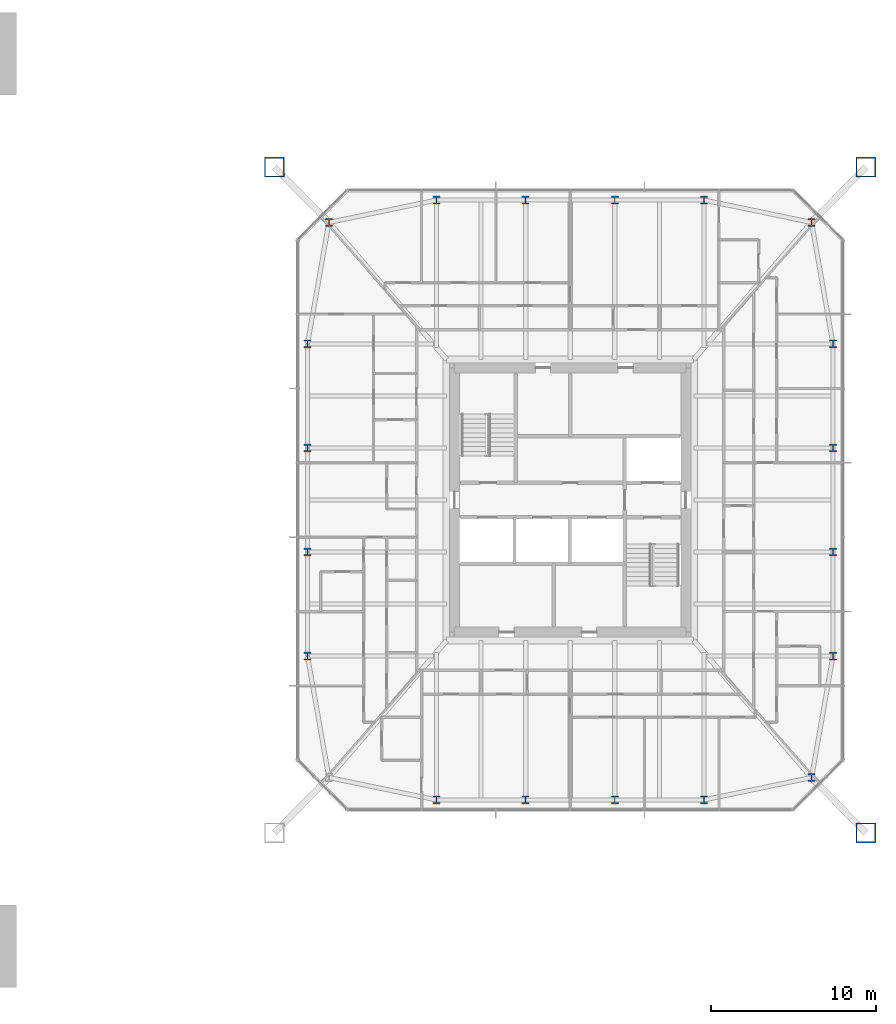
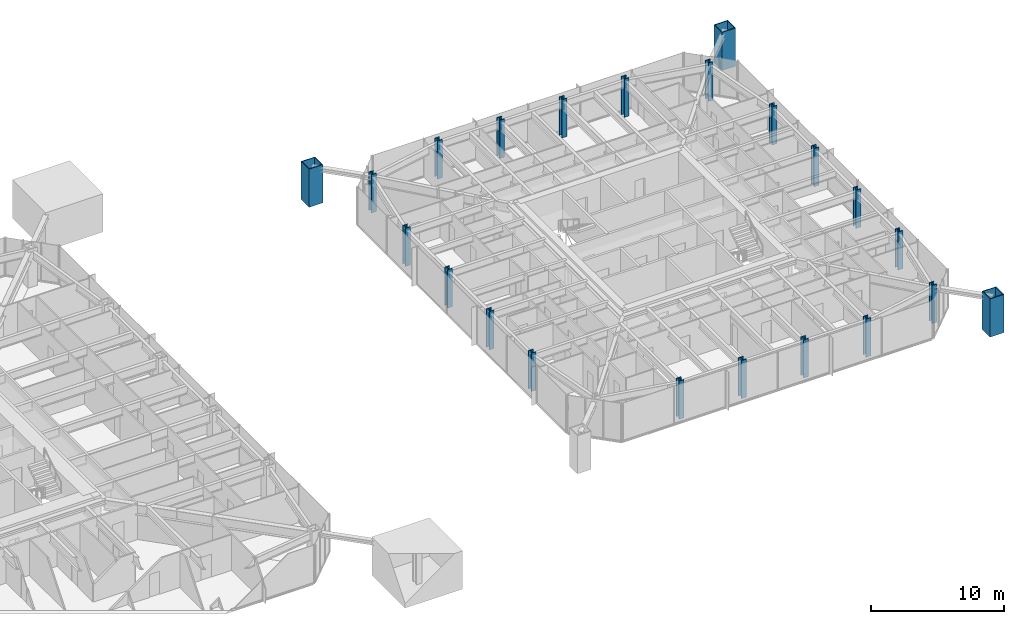
# One storey, part 2 of 26: 22 columns.
"""IFC4 building model written with IfcOpenShell, lengths in metres."""

import ifcopenshell
import ifcopenshell.guid

model = None  # the IFC model being written
_history = None  # IfcOwnerHistory: only IFC2X3 demands one
_inside = {}  # id of a spatial element -> (the spatial element, [elements in it])
_under = {}  # id of a project, library or spatial element -> (it, [spatial elements below it])
_declared = {}  # id of a project -> (the project, [libraries it declares])
_typed = {}  # id of a type object -> (the type object, [elements of that type])
_made_of = {}  # id of a material, layer set ... -> (it, [elements and type objects made of it])


def new_model(schema):
    """Start an empty IFC model of exactly this schema.

    Asked for "IFC4X3", IfcOpenShell would pick the latest addendum, in which some entities
    have other attributes; the version numbers below select the first issue.
    IFC2X3 requires an IfcOwnerHistory on every rooted entity: one is made here for all.
    """
    global model, _history
    if schema == "IFC4X3":
        model = ifcopenshell.file(schema_version=(4, 3, 0, 0))
    else:
        model = ifcopenshell.file(schema=schema)
    _inside.clear()
    _under.clear()
    _declared.clear()
    _typed.clear()
    _made_of.clear()
    _history = None
    if model.schema == "IFC2X3":
        org = make("IfcOrganization", Name="unknown")
        user = make(
            "IfcPersonAndOrganization",
            ThePerson=make("IfcPerson", FamilyName="unknown"),
            TheOrganization=org,
        )
        app = make(
            "IfcApplication",
            ApplicationDeveloper=org,
            Version="unknown",
            ApplicationFullName="unknown",
            ApplicationIdentifier="unknown",
        )
        _history = make(
            "IfcOwnerHistory",
            OwningUser=user,
            OwningApplication=app,
            ChangeAction="ADDED",
            CreationDate=0,
        )
    return model


def make(cls, **values):
    """One entity of the class cls with the attributes given. An attribute that is None is left unset."""
    return model.create_entity(
        cls, **{name: value for name, value in values.items() if value is not None}
    )


def rooted(cls, **values):
    """An entity with a GlobalId (a new one), such as an element, a storey or a relation."""
    return make(cls, GlobalId=ifcopenshell.guid.new(), OwnerHistory=_history, **values)


def si_unit(unit_type, name, prefix=None):
    """IfcSIUnit, for example si_unit("LENGTHUNIT", "METRE", prefix="MILLI")."""
    return make("IfcSIUnit", UnitType=unit_type, Prefix=prefix, Name=name)


def assignment(units):
    """IfcUnitAssignment: the units of a project."""
    return None if units is None else make("IfcUnitAssignment", Units=units)


def point(xyz):
    """IfcCartesianPoint."""
    return None if xyz is None else make("IfcCartesianPoint", Coordinates=xyz)


def direction(xyz):
    """IfcDirection."""
    return None if xyz is None else make("IfcDirection", DirectionRatios=xyz)


def frame(location, z_axis=None, x_axis=None):
    """IfcAxis2Placement3D, a coordinate frame: its origin and axes. An axis left out is left unset."""
    return make(
        "IfcAxis2Placement3D",
        Location=point(location),
        Axis=direction(z_axis),
        RefDirection=direction(x_axis),
    )


def frame_2d(location, x_axis=None):
    """IfcAxis2Placement2D, a coordinate frame in the plane: its origin and x axis."""
    return make(
        "IfcAxis2Placement2D", Location=point(location), RefDirection=direction(x_axis)
    )


def origin():
    """The frame at (0, 0, 0) with its axes left unset."""
    return frame((0.0, 0.0, 0.0))


def origin_2d():
    """The frame at (0, 0) in the plane with its x axis left unset."""
    return frame_2d((0.0, 0.0))


def place(relative_to, where):
    """IfcLocalPlacement: puts the frame where relative to a parent placement (None: the world)."""
    return make(
        "IfcLocalPlacement", PlacementRelTo=relative_to, RelativePlacement=where
    )


def context(
    kind, dimensions, precision=None, world=None, true_north=None, identifier=None
):
    """IfcGeometricRepresentationContext, for example the 3D "Model" context."""
    return make(
        "IfcGeometricRepresentationContext",
        ContextIdentifier=identifier,
        ContextType=kind,
        CoordinateSpaceDimension=dimensions,
        Precision=precision,
        WorldCoordinateSystem=world,
        TrueNorth=true_north,
    )


def subcontext(parent, identifier, kind, view, scale=None):
    """IfcGeometricRepresentationSubContext, for example "Body" below "Model"."""
    return make(
        "IfcGeometricRepresentationSubContext",
        ContextIdentifier=identifier,
        ContextType=kind,
        ParentContext=parent,
        TargetScale=scale,
        TargetView=view,
    )


def project(units=None, contexts=None):
    """IfcProject with its units and contexts."""
    return rooted(
        "IfcProject",
        Name="project",
        RepresentationContexts=contexts,
        UnitsInContext=assignment(units),
    )


def spatial(cls, under=None, at=None, **own):
    """A site, building, storey or space (cls), placed at a placement, below another one or the project."""
    s = rooted(cls, ObjectPlacement=at, **own)
    if under is not None:
        _under.setdefault(under.id(), (under, []))[1].append(s)
    return s


def profile(cls, at=None, kind="AREA", **sizes):
    """A parametric profile (cls). Its sizes go by their IFC names, for example OverallWidth=200.0."""
    return make(cls, ProfileType=kind, Position=at, **sizes)


def hollow_rectangle(**sizes):
    """IfcRectangleHollowProfileDef."""
    return profile("IfcRectangleHollowProfileDef", **sizes)


def i_section(**sizes):
    """IfcIShapeProfileDef."""
    return profile("IfcIShapeProfileDef", **sizes)


def extrude(swept, where, along, depth):
    """IfcExtrudedAreaSolid: the profile swept, set in the frame where, extruded along a direction by depth."""
    return make(
        "IfcExtrudedAreaSolid",
        SweptArea=swept,
        Position=where,
        ExtrudedDirection=direction(along),
        Depth=depth,
    )


def shape(context_of_items, identifier, shape_type, items):
    """IfcShapeRepresentation: the items that make up one representation, for example the "Body"."""
    return make(
        "IfcShapeRepresentation",
        ContextOfItems=context_of_items,
        RepresentationIdentifier=identifier,
        RepresentationType=shape_type,
        Items=items,
    )


def material(Name=None, Category=None):
    """IfcMaterial."""
    return make("IfcMaterial", Name=Name, Category=Category)


def material_profile(
    of_material, cross_section, Name=None, Category=None, Priority=None
):
    """IfcMaterialProfile: a cross section and its material."""
    return make(
        "IfcMaterialProfile",
        Name=Name,
        Material=of_material,
        Profile=cross_section,
        Priority=Priority,
        Category=Category,
    )


def profile_set(profiles, Name=None, composite=None):
    """IfcMaterialProfileSet."""
    return make(
        "IfcMaterialProfileSet",
        Name=Name,
        MaterialProfiles=profiles,
        CompositeProfile=composite,
    )


def made_of(thing, what):
    """Note that an element or type object is made of a material, layer set ...; save() writes the relation."""
    if what is not None:
        _made_of.setdefault(what.id(), (what, []))[1].append(thing)
    return thing


def type_object(cls, material=None, **own):
    """A type object (cls), such as IfcWallType, which elements share."""
    return made_of(rooted(cls, **own), material)


def element(
    cls,
    number,
    at=None,
    inside=None,
    cuts=None,
    type_object=None,
    material=None,
    context=None,
    identifier="Body",
    shape_type=None,
    held_by="IfcProductDefinitionShape",
    body=None,
    shapes=None,
    **own,
):
    """One element of the class cls, such as IfcWall. Its Tag is "e" and its number.

    at: its placement. inside: the storey or other place that contains it. cuts: it is an
    opening in that element (IfcRelVoidsElement). A single representation is given by context,
    identifier, shape_type and body (its items); several are given by shapes. held_by: the class
    of the entity that holds the representations. save() writes the other relations.
    """
    e = rooted(cls, Tag="e%d" % number, ObjectPlacement=at, **own)
    if body is not None:
        shapes = [shape(context, identifier, shape_type, body)]
    if shapes is not None:
        e.Representation = make(held_by, Representations=shapes)
    if inside is not None:
        _inside.setdefault(inside.id(), (inside, []))[1].append(e)
    if cuts is not None:
        rooted(
            "IfcRelVoidsElement", RelatingBuildingElement=cuts, RelatedOpeningElement=e
        )
    if type_object is not None:
        _typed.setdefault(type_object.id(), (type_object, []))[1].append(e)
    return made_of(e, material)


def aggregate(whole, parts):
    """IfcRelAggregates: a whole, such as a stair, and the parts it consists of."""
    return rooted("IfcRelAggregates", RelatingObject=whole, RelatedObjects=parts)


def save(model, path):
    """Write the relations noted so far, then the file.

    IfcRelAggregates (storeys below a building ...), IfcRelContainedInSpatialStructure (elements
    in a storey), IfcRelDefinesByType, IfcRelAssociatesMaterial and IfcRelDeclares: one each for
    every whole, place, type object, material and project.
    """
    for whole, parts in _under.values():
        aggregate(whole, parts)
    for where, things in _inside.values():
        rooted(
            "IfcRelContainedInSpatialStructure",
            RelatedElements=things,
            RelatingStructure=where,
        )
    for kind, things in _typed.values():
        rooted("IfcRelDefinesByType", RelatedObjects=things, RelatingType=kind)
    for what, things in _made_of.values():
        rooted("IfcRelAssociatesMaterial", RelatedObjects=things, RelatingMaterial=what)
    for by, libraries in _declared.values():
        rooted("IfcRelDeclares", RelatingContext=by, RelatedDefinitions=libraries)
    model.write(path)


model = new_model("IFC4")

# Units and contexts
model_context = context("Model", 3, precision=1e-05, world=origin(), true_north=direction((0.0, 1.0)))
body_context = subcontext(model_context, "Body", "Model", "MODEL_VIEW")
ifc_project = project(units=[si_unit("LENGTHUNIT", "METRE"), si_unit("AREAUNIT", "SQUARE_METRE"), si_unit("VOLUMEUNIT", "CUBIC_METRE"), si_unit("PLANEANGLEUNIT", "RADIAN"), si_unit("MASSUNIT", "GRAM", prefix="KILO")], contexts=[model_context])

# Site, building, storey
site_placement = place(None, origin())
site = spatial("IfcSite", under=ifc_project, at=site_placement, CompositionType="ELEMENT")
building_placement = place(site_placement, origin())
building = spatial("IfcBuilding", under=site, at=building_placement, Name="Iwan Alto Co-Living Towers", CompositionType="ELEMENT")
storey_placement = place(building_placement, frame((0.0, 0.0, 50.0)))
storey = spatial("IfcBuildingStorey", under=building, at=storey_placement, Name="L13", CompositionType="ELEMENT", Elevation=50.0)

# Columns
ifc_material_1 = material(Name="Steel ASTM A572 Gr 50", Category="steel")
ifc_material_profile_1 = material_profile(ifc_material_1, hollow_rectangle(XDim=1.199951171875, YDim=1.199951171875, WallThickness=0.070068359375, at=origin_2d()), Name="BOX 1200X1200X70")
ifc_profile_set_1 = profile_set([ifc_material_profile_1], Name="Steel ASTM A572 Gr 50")
column_type_1 = type_object("IfcColumnType", Name="T2 MEGA COLUMN BOX 1200X1200X70", PredefinedType="COLUMN", material=ifc_profile_set_1)
for number, where, z_axis, x_axis, name in (
    (1, (80.89990234375, -20.14990234375, 0.0), (0.0, 0.0, 1.0), (1.0, 0.0, 0.0), "T2 mega column SE L13"),
    (2, (80.89990234375, 20.14990234375, 0.0), (0.0, 0.0, 1.0), (1.0, 0.0, 0.0), "T2 mega column NE L13"),
    (3, (45.10009765625, 20.14990234375, 0.0), (0.0, 0.0, 1.0), (1.0, 0.0, 0.0), "T2 mega column NW L13"),
):
    element("IfcColumn", number, at=place(storey_placement, frame(where, z_axis=z_axis, x_axis=x_axis)), inside=storey, type_object=column_type_1, Name=name, PredefinedType="COLUMN", context=body_context, shape_type="SweptSolid", body=[
        extrude(hollow_rectangle(XDim=1.199951171875, YDim=1.199951171875, WallThickness=0.070068359375, at=origin_2d()), origin(), (0.0, 0.0, 1.0), 3.5),
    ])
ifc_material_2 = material(Name="Steel ASTM A992 Gr 50", Category="steel")
ifc_material_profile_2 = material_profile(ifc_material_2, i_section(OverallWidth=0.424072265625, OverallDepth=0.47509765625, WebThickness=0.0478515625, FlangeThickness=0.0771484375, at=origin_2d()), Name="W14X426")
ifc_profile_set_2 = profile_set([ifc_material_profile_2], Name="Steel ASTM A992 Gr 50")
column_type_2 = type_object("IfcColumnType", Name="T2 RING COLUMN W14X426", PredefinedType="COLUMN", material=ifc_profile_set_2)
for number, where, z_axis, x_axis, name in (
    (4, (54.89990234375, -18.14990234375, 0.0), (0.0, 0.0, 1.0), (1.0, 0.0, 0.0), "T2 ring column S1 L13"),
    (5, (60.300048828125, -18.14990234375, 0.0), (0.0, 0.0, 1.0), (1.0, 0.0, 0.0), "T2 ring column S2 L13"),
    (6, (65.699951171875, -18.14990234375, 0.0), (0.0, 0.0, 1.0), (1.0, 0.0, 0.0), "T2 ring column S3 L13"),
    (7, (71.10009765625, -18.14990234375, 0.0), (0.0, 0.0, 1.0), (1.0, 0.0, 0.0), "T2 ring column S4 L13"),
    (8, (77.606201171875, -16.797119140625, 0.0), (0.0, 0.0, 1.0), (1.0, 0.0, 0.0), "T2 ring column CSE L13"),
    (9, (78.89990234375, -9.449951171875, 0.0), (0.0, 0.0, 1.0), (1.0, 0.0, 0.0), "T2 ring column E1 L13"),
    (10, (78.89990234375, -3.14990234375, 0.0), (0.0, 0.0, 1.0), (1.0, 0.0, 0.0), "T2 ring column E2 L13"),
    (11, (78.89990234375, 3.14990234375, 0.0), (0.0, 0.0, 1.0), (1.0, 0.0, 0.0), "T2 ring column E3 L13"),
    (12, (78.89990234375, 9.449951171875, 0.0), (0.0, 0.0, 1.0), (1.0, 0.0, 0.0), "T2 ring column E4 L13"),
    (13, (77.606201171875, 16.797119140625, 0.0), (0.0, 0.0, 1.0), (1.0, 0.0, 0.0), "T2 ring column CNE L13"),
    (14, (71.10009765625, 18.14990234375, 0.0), (0.0, 0.0, 1.0), (1.0, 0.0, 0.0), "T2 ring column N1 L13"),
    (15, (65.699951171875, 18.14990234375, 0.0), (0.0, 0.0, 1.0), (1.0, 0.0, 0.0), "T2 ring column N2 L13"),
    (16, (60.300048828125, 18.14990234375, 0.0), (0.0, 0.0, 1.0), (1.0, 0.0, 0.0), "T2 ring column N3 L13"),
    (17, (54.89990234375, 18.14990234375, 0.0), (0.0, 0.0, 1.0), (1.0, 0.0, 0.0), "T2 ring column N4 L13"),
    (18, (48.393798828125, 16.797119140625, 0.0), (0.0, 0.0, 1.0), (1.0, 0.0, 0.0), "T2 ring column CNW L13"),
    (19, (47.10009765625, 9.449951171875, 0.0), (0.0, 0.0, 1.0), (1.0, 0.0, 0.0), "T2 ring column W1 L13"),
    (20, (47.10009765625, 3.14990234375, 0.0), (0.0, 0.0, 1.0), (1.0, 0.0, 0.0), "T2 ring column W2 L13"),
    (21, (47.10009765625, -3.14990234375, 0.0), (0.0, 0.0, 1.0), (1.0, 0.0, 0.0), "T2 ring column W3 L13"),
    (22, (47.10009765625, -9.449951171875, 0.0), (0.0, 0.0, 1.0), (1.0, 0.0, 0.0), "T2 ring column W4 L13"),
):
    element("IfcColumn", number, at=place(storey_placement, frame(where, z_axis=z_axis, x_axis=x_axis)), inside=storey, type_object=column_type_2, Name=name, PredefinedType="COLUMN", context=body_context, shape_type="SweptSolid", body=[
        extrude(i_section(OverallWidth=0.424072265625, OverallDepth=0.47509765625, WebThickness=0.0478515625, FlangeThickness=0.0771484375, at=origin_2d()), origin(), (0.0, 0.0, 1.0), 3.5),
    ])

save(model, "model.ifc")
